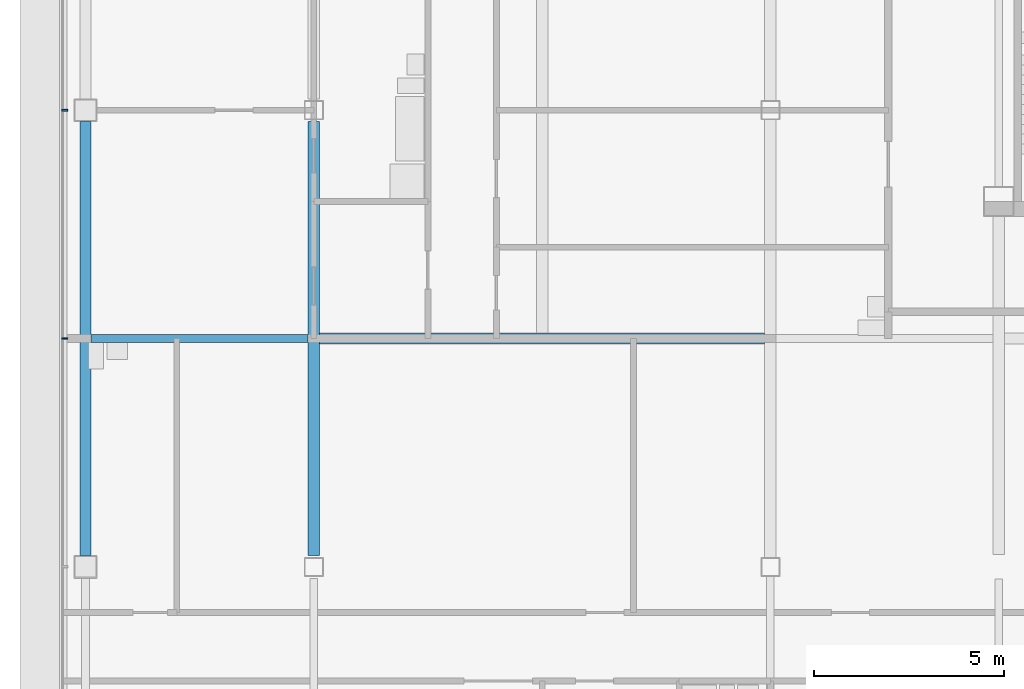
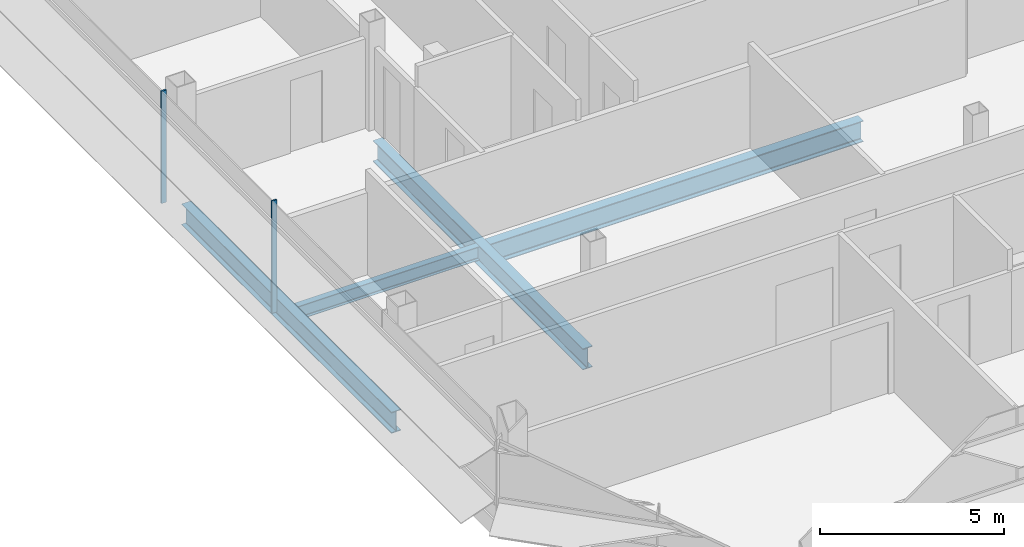
# One storey, part 5 of 28: 4 beams, 2 members, 1 element without a shape of its own.
"""IFC4 building model written with IfcOpenShell, lengths in metres."""

from ifc_helpers import new_model, si_unit, direction, frame, origin, origin_2d, place, context, subcontext, project, spatial, rectangle, i_section, extrude, material, material_profile, profile_set, type_object, element, aggregate, save


model = new_model("IFC4")

# Units and contexts
model_context = context("Model", 3, precision=1e-05, world=origin(), true_north=direction((0.0, 1.0)))
body_context = subcontext(model_context, "Body", "Model", "MODEL_VIEW")
ifc_project = project(units=[si_unit("LENGTHUNIT", "METRE"), si_unit("AREAUNIT", "SQUARE_METRE"), si_unit("VOLUMEUNIT", "CUBIC_METRE"), si_unit("PLANEANGLEUNIT", "RADIAN"), si_unit("MASSUNIT", "GRAM", prefix="KILO")], contexts=[model_context])

# Site, building, storey
site_placement = place(None, origin())
site = spatial("IfcSite", under=ifc_project, at=site_placement, CompositionType="ELEMENT")
building_placement = place(site_placement, origin())
building = spatial("IfcBuilding", under=site, at=building_placement, Name="Sorahane Residences", CompositionType="ELEMENT")
storey_placement = place(building_placement, frame((0.0, 0.0, 290.800048828125)))
storey = spatial("IfcBuildingStorey", under=building, at=storey_placement, Name="L68", CompositionType="ELEMENT", Elevation=290.800048828125)

# Curtain wall, members
ifc_material_1 = material(Name="Dark low-e glass and black anodised aluminium", Category="aluminium")
curtain_wall_type = type_object("IfcCurtainWallType", Name="Curtain wall CW-1 Typical unitised wall", PredefinedType="NOTDEFINED", material=ifc_material_1)
curtain_wall_placement = place(storey_placement, origin())
curtain_wall = element("IfcCurtainWall", 1, at=curtain_wall_placement, inside=storey, type_object=curtain_wall_type, Name="CW-1 curtain wall L68 W1", PredefinedType="NOTDEFINED")
ifc_material_2 = material(Name="Black anodised aluminium", Category="aluminium")
ifc_material_profile_1 = material_profile(ifc_material_2, rectangle(XDim=0.159912109375, YDim=0.050048828125, at=origin_2d()), Name="Curtain wall mullion CW-1 black anodised aluminium 50x160")
ifc_profile_set_1 = profile_set([ifc_material_profile_1], Name="Black anodised aluminium")
member_type = type_object("IfcMemberType", Name="Curtain wall mullion CW-1 black anodised aluminium 50x160", PredefinedType="MULLION", material=ifc_profile_set_1)
member_1_placement = place(storey_placement, frame((-18.5400390625, 24.0, -0.300048828125), z_axis=(0.0, 0.0, 1.0), x_axis=(-1.0, 0.0, 0.0)))
member_1 = element("IfcMember", 2, at=member_1_placement, type_object=member_type, Name="CW-1 mullion L68 W1.4", PredefinedType="MULLION", context=body_context, shape_type="SweptSolid", body=[
    extrude(rectangle(XDim=0.159912109375, YDim=0.050048828125, at=origin_2d()), origin(), (0.0, 0.0, 1.0), 3.719970703125),
])
member_2_placement = place(storey_placement, frame((-18.5400390625, 18.0, -0.300048828125), z_axis=(0.0, 0.0, 1.0), x_axis=(-1.0, 0.0, 0.0)))
member_2 = element("IfcMember", 3, at=member_2_placement, type_object=member_type, Name="CW-1 mullion L68 W1.5", PredefinedType="MULLION", context=body_context, shape_type="SweptSolid", body=[
    extrude(rectangle(XDim=0.159912109375, YDim=0.050048828125, at=origin_2d()), origin(), (0.0, 0.0, 1.0), 3.719970703125),
])
aggregate(curtain_wall, [member_1, member_2])

# Beams
ifc_material_3 = material(Name="Steel Q355B", Category="steel")
ifc_material_profile_2 = material_profile(ifc_material_3, i_section(OverallWidth=0.199951171875, OverallDepth=0.449951171875, WebThickness=0.009033203125, FlangeThickness=0.013916015625, FilletRadius=0.02001953125, at=origin_2d()), Name="HN 450x200x9x14")
ifc_profile_set_2 = profile_set([ifc_material_profile_2], Name="Steel Q355B")
beam_type_1 = type_object("IfcBeamType", Name="Steel floor beam HN 450x200x9x14 Q355B", PredefinedType="BEAM", material=ifc_profile_set_2)
beam_1_placement = place(storey_placement, frame((-17.85009765625, 18.0, -0.525146484375), z_axis=(1.0, 0.0, 0.0), x_axis=(0.0, 1.0, 0.0)))
element("IfcBeam", 4, at=beam_1_placement, inside=storey, type_object=beam_type_1, Name="Beam L68 059", PredefinedType="BEAM", context=body_context, shape_type="SweptSolid", body=[
    extrude(i_section(OverallWidth=0.199951171875, OverallDepth=0.449951171875, WebThickness=0.009033203125, FlangeThickness=0.013916015625, FilletRadius=0.02001953125, at=origin_2d()), origin(), (0.0, 0.0, 1.0), 5.7001953125),
])
ifc_material_4 = material(Name="Steel Q355B", Category="steel")
ifc_material_profile_3 = material_profile(ifc_material_4, i_section(OverallWidth=0.300048828125, OverallDepth=0.699951171875, WebThickness=0.012939453125, FlangeThickness=0.02392578125, FilletRadius=0.028076171875, at=origin_2d()), Name="HN 700x300x13x24")
ifc_profile_set_3 = profile_set([ifc_material_profile_3], Name="Steel Q355B")
beam_type_2 = type_object("IfcBeamType", Name="Steel floor beam HN 700x300x13x24 Q355B", PredefinedType="BEAM", material=ifc_profile_set_3)
for number, where, z_axis, x_axis, name in (
    (5, (-18.0, 12.300048828125, -0.650146484375), (0.0, 1.0, 0.0), (-1.0, 0.0, 0.0), "Beam L68 001"),
    (6, (-12.0, 12.300048828125, -0.650146484375), (0.0, 1.0, 0.0), (-1.0, 0.0, 0.0), "Beam L68 006"),
):
    element("IfcBeam", number, at=place(storey_placement, frame(where, z_axis=z_axis, x_axis=x_axis)), inside=storey, type_object=beam_type_2, Name=name, PredefinedType="BEAM", context=body_context, shape_type="SweptSolid", body=[
        extrude(i_section(OverallWidth=0.300048828125, OverallDepth=0.699951171875, WebThickness=0.012939453125, FlangeThickness=0.02392578125, FilletRadius=0.028076171875, at=origin_2d()), origin(), (0.0, 0.0, 1.0), 11.39990234375),
    ])
beam_2_placement = place(storey_placement, frame((-11.85009765625, 18.0, -0.650146484375), z_axis=(1.0, 0.0, 0.0), x_axis=(0.0, 1.0, 0.0)))
element("IfcBeam", 7, at=beam_2_placement, inside=storey, type_object=beam_type_2, Name="Beam L68 060", PredefinedType="BEAM", context=body_context, shape_type="SweptSolid", body=[
    extrude(i_section(OverallWidth=0.300048828125, OverallDepth=0.699951171875, WebThickness=0.012939453125, FlangeThickness=0.02392578125, FilletRadius=0.028076171875, at=origin_2d()), origin(), (0.0, 0.0, 1.0), 11.7001953125),
])

save(model, "model.ifc")
